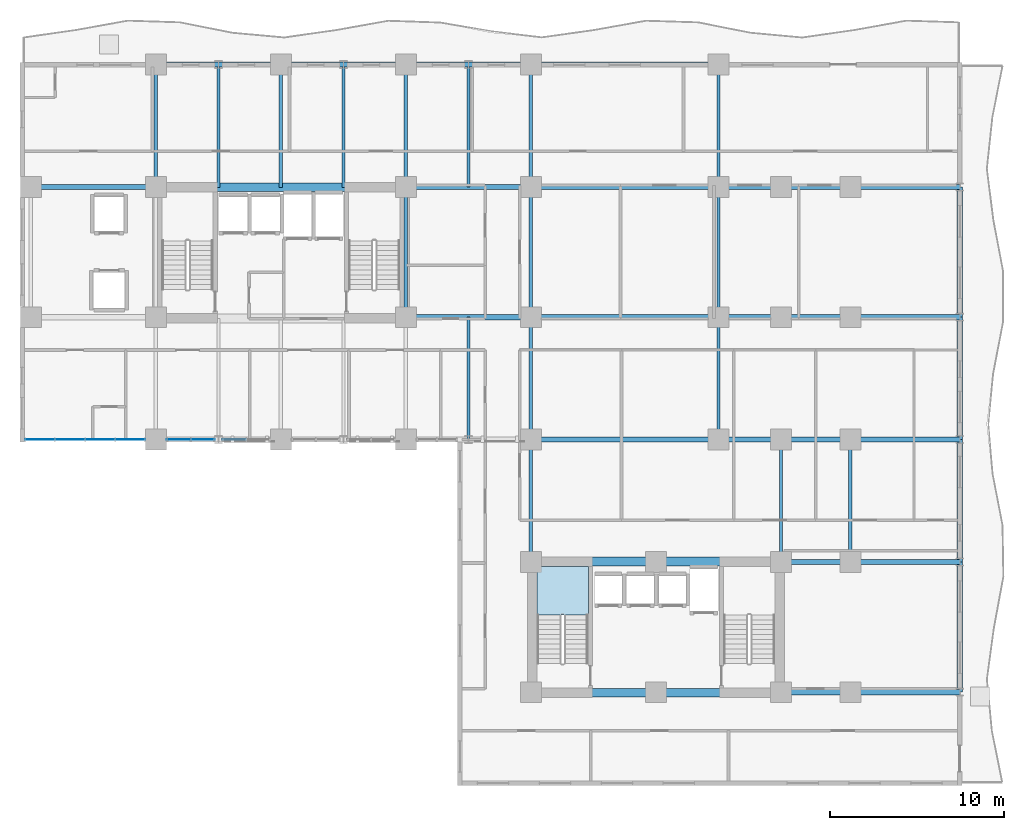
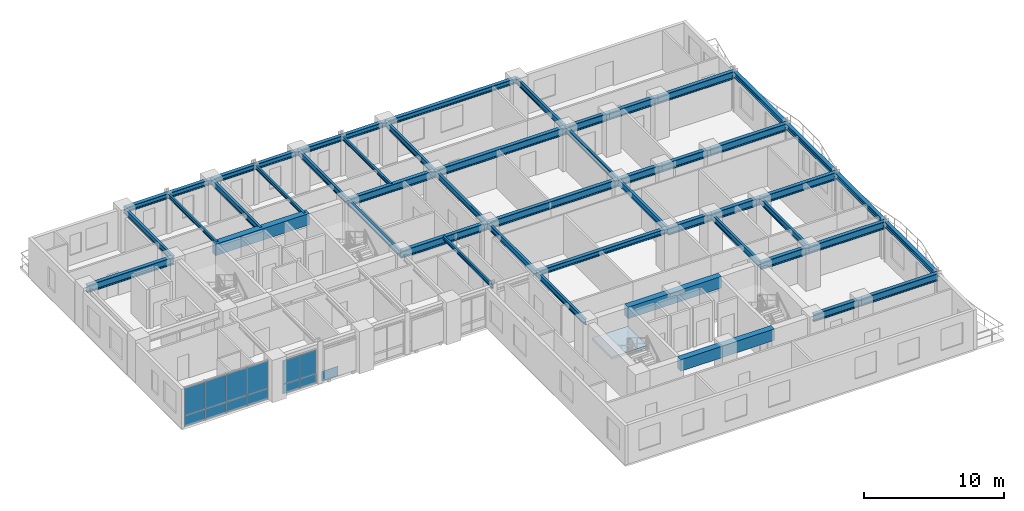
# One storey, part 6 of 16: 50 beams, 13 plates, 1 slab, 4 elements without a shape of their own.
"""IFC4 building model written with IfcOpenShell, lengths in metres."""

from ifc_helpers import new_model, si_unit, direction, frame, origin, origin_2d, place, context, subcontext, project, spatial, polyline, rectangle, i_section, outline, extrude, source, transform, mapped, material, layer, layer_set, material_profile, profile_set, type_object, element, aggregate, save


model = new_model("IFC4")

# Units and contexts
model_context = context("Model", 3, precision=1e-05, world=origin(), true_north=direction((0.0, 1.0)))
body_context = subcontext(model_context, "Body", "Model", "MODEL_VIEW")
ifc_project = project(units=[si_unit("LENGTHUNIT", "METRE"), si_unit("AREAUNIT", "SQUARE_METRE"), si_unit("VOLUMEUNIT", "CUBIC_METRE"), si_unit("PLANEANGLEUNIT", "RADIAN"), si_unit("MASSUNIT", "GRAM", prefix="KILO")], contexts=[model_context])

# Site, building, storey
site_placement = place(None, origin())
site = spatial("IfcSite", under=ifc_project, at=site_placement, CompositionType="ELEMENT")
building_placement = place(site_placement, origin())
building = spatial("IfcBuilding", under=site, at=building_placement, Name="Kaliganga Portal Commons", CompositionType="ELEMENT")
storey_placement = place(building_placement, frame((0.0, 0.0, 97.10009765625)))
storey = spatial("IfcBuildingStorey", under=building, at=storey_placement, Name="L24", CompositionType="ELEMENT", Elevation=97.10009765625)

# Beams
ifc_material_1 = material(Name="Concrete C50/60", Category="concrete")
ifc_material_profile_1 = material_profile(ifc_material_1, rectangle(XDim=0.5, YDim=1.0, at=origin_2d()), Name="RC 500x1000")
ifc_profile_set_1 = profile_set([ifc_material_profile_1], Name="Concrete C50/60")
beam_type_1 = type_object("IfcBeamType", Name="BM-CPL-1000", PredefinedType="LINTEL", material=ifc_profile_set_1)
shared_shape_1 = source(origin(), body_context, "Body", "SweptSolid", [
    extrude(rectangle(XDim=0.5, YDim=1.0, at=origin_2d()), origin(), (0.0, 0.0, 1.0), 7.739990234375),
])
for number, where, z_axis, x_axis, name in (
    (1, (17.72998046875, 36.125, 2.949951171875), (1.0, 0.0, 0.0), (0.0, 1.0, 0.0), "BM CPL COREA L24 N"),
    (2, (39.330078125, 7.02490234375, 2.949951171875), (1.0, 0.0, 0.0), (0.0, 1.0, 0.0), "BM CPL COREB L24 S"),
    (3, (39.330078125, 14.574951171875, 2.949951171875), (1.0, 0.0, 0.0), (0.0, 1.0, 0.0), "BM CPL COREB L24 N"),
):
    element("IfcBeam", number, at=place(storey_placement, frame(where, z_axis=z_axis, x_axis=x_axis)), inside=storey, type_object=beam_type_1, Name=name, PredefinedType="LINTEL", context=body_context, shape_type="MappedRepresentation", body=[
        mapped(shared_shape_1, transform((0.0, 0.0, 0.0), x_axis=(1.0, 0.0, 0.0), y_axis=(0.0, 1.0, 0.0), z_axis=(0.0, 0.0, 1.0), scale=1.0)),
    ])
ifc_material_2 = material(Name="Structural steel S355J2", Category="steel")
ifc_material_profile_2 = material_profile(ifc_material_2, i_section(OverallWidth=0.300048828125, OverallDepth=0.64990234375, WebThickness=0.01611328125, FlangeThickness=0.031005859375, FilletRadius=0.027099609375, at=origin_2d()), Name="HE 650 B")
ifc_profile_set_2 = profile_set([ifc_material_profile_2], Name="Structural steel S355J2 wide-flange")
beam_type_2 = type_object("IfcBeamType", Name="BM-GIRD-650", PredefinedType="USERDEFINED", material=ifc_profile_set_2)
shared_shape_2 = source(origin(), body_context, "Body", "SweptSolid", [
    extrude(i_section(OverallWidth=0.300048828125, OverallDepth=0.64990234375, WebThickness=0.01611328125, FlangeThickness=0.031005859375, FilletRadius=0.027099609375, at=origin_2d()), origin(), (0.0, 0.0, 1.0), 3.599853515625),
])
for number, where, z_axis, x_axis, name in (
    (4, (46.800048828125, 21.60009765625, 3.125), (1.0, 0.0, 0.0), (0.0, 1.0, 0.0), "BM G L24 BKE216 1"),
    (5, (46.800048828125, 28.64990234375, 3.125), (1.0, 0.0, 0.0), (0.0, 1.0, 0.0), "BM G L24 BKE286 1"),
    (6, (46.800048828125, 36.14990234375, 3.125), (1.0, 0.0, 0.0), (0.0, 1.0, 0.0), "BM G L24 BKE362 1"),
):
    element("IfcBeam", number, at=place(storey_placement, frame(where, z_axis=z_axis, x_axis=x_axis)), inside=storey, type_object=beam_type_2, Name=name, ObjectType="GIRDER", PredefinedType="USERDEFINED", context=body_context, shape_type="MappedRepresentation", body=[
        mapped(shared_shape_2, transform((0.0, 0.0, 0.0), x_axis=(1.0, 0.0, 0.0), y_axis=(0.0, 1.0, 0.0), z_axis=(0.0, 0.0, 1.0), scale=1.0)),
    ])
shared_shape_3 = source(origin(), body_context, "Body", "SweptSolid", [
    extrude(i_section(OverallWidth=0.300048828125, OverallDepth=0.64990234375, WebThickness=0.01611328125, FlangeThickness=0.031005859375, FilletRadius=0.027099609375, at=origin_2d()), origin(), (0.0, 0.0, 1.0), 7.199951171875),
])
for number, where, z_axis, x_axis, name in (
    (7, (7.199951171875, 36.14990234375, 3.125), (1.0, 0.0, 0.0), (0.0, 1.0, 0.0), "BM G L24 WAH_N 1"),
    (8, (28.800048828125, 28.64990234375, 3.125), (1.0, 0.0, 0.0), (0.0, 1.0, 0.0), "BM G L24 WAE_S 1"),
    (9, (28.800048828125, 36.14990234375, 3.125), (1.0, 0.0, 0.0), (0.0, 1.0, 0.0), "BM G L24 WAE_N 1"),
):
    element("IfcBeam", number, at=place(storey_placement, frame(where, z_axis=z_axis, x_axis=x_axis)), inside=storey, type_object=beam_type_2, Name=name, ObjectType="GIRDER", PredefinedType="USERDEFINED", context=body_context, shape_type="MappedRepresentation", body=[
        mapped(shared_shape_3, transform((0.0, 0.0, 0.0), x_axis=(1.0, 0.0, 0.0), y_axis=(0.0, 1.0, 0.0), z_axis=(0.0, 0.0, 1.0), scale=1.0)),
    ])
shared_shape_4 = source(origin(), body_context, "Body", "SweptSolid", [
    extrude(i_section(OverallWidth=0.300048828125, OverallDepth=0.64990234375, WebThickness=0.01611328125, FlangeThickness=0.031005859375, FilletRadius=0.027099609375, at=origin_2d()), origin(), (0.0, 0.0, 1.0), 10.800048828125),
])
for number, where, z_axis, x_axis, name in (
    (10, (36.0, 28.64990234375, 3.125), (1.0, 0.0, 0.0), (0.0, 1.0, 0.0), "BM G L24 WAE_S 2"),
    (11, (36.0, 36.14990234375, 3.125), (1.0, 0.0, 0.0), (0.0, 1.0, 0.0), "BM G L24 WAE_N 2"),
):
    element("IfcBeam", number, at=place(storey_placement, frame(where, z_axis=z_axis, x_axis=x_axis)), inside=storey, type_object=beam_type_2, Name=name, ObjectType="GIRDER", PredefinedType="USERDEFINED", context=body_context, shape_type="MappedRepresentation", body=[
        mapped(shared_shape_4, transform((0.0, 0.0, 0.0), x_axis=(1.0, 0.0, 0.0), y_axis=(0.0, 1.0, 0.0), z_axis=(0.0, 0.0, 1.0), scale=1.0)),
    ])
shared_shape_5 = source(origin(), body_context, "Body", "SweptSolid", [
    extrude(i_section(OverallWidth=0.300048828125, OverallDepth=0.64990234375, WebThickness=0.01611328125, FlangeThickness=0.031005859375, FilletRadius=0.027099609375, at=origin_2d()), origin(), (0.0, 0.0, 1.0), 4.0),
])
for number, where, z_axis, x_axis, name in (
    (12, (50.39990234375, 7.050048828125, 3.125), (1.0, 0.0, 0.0), (0.0, 1.0, 0.0), "BM G L24 BKE70 1"),
    (13, (50.39990234375, 14.550048828125, 3.125), (1.0, 0.0, 0.0), (0.0, 1.0, 0.0), "BM G L24 BKE146 1"),
    (14, (50.39990234375, 21.60009765625, 3.125), (1.0, 0.0, 0.0), (0.0, 1.0, 0.0), "BM G L24 BKE216 2"),
    (15, (50.39990234375, 28.64990234375, 3.125), (1.0, 0.0, 0.0), (0.0, 1.0, 0.0), "BM G L24 BKE286 2"),
    (16, (50.39990234375, 36.14990234375, 3.125), (1.0, 0.0, 0.0), (0.0, 1.0, 0.0), "BM G L24 BKE362 2"),
):
    element("IfcBeam", number, at=place(storey_placement, frame(where, z_axis=z_axis, x_axis=x_axis)), inside=storey, type_object=beam_type_2, Name=name, ObjectType="GIRDER", PredefinedType="USERDEFINED", context=body_context, shape_type="MappedRepresentation", body=[
        mapped(shared_shape_5, transform((0.0, 0.0, 0.0), x_axis=(1.0, 0.0, 0.0), y_axis=(0.0, 1.0, 0.0), z_axis=(0.0, 0.0, 1.0), scale=1.0)),
    ])
ifc_material_profile_3 = material_profile(ifc_material_2, i_section(OverallWidth=0.199951171875, OverallDepth=0.5, WebThickness=0.01025390625, FlangeThickness=0.01611328125, FilletRadius=0.02099609375, at=origin_2d()), Name="IPE 500")
ifc_profile_set_3 = profile_set([ifc_material_profile_3], Name="Structural steel S355J2 wide-flange")
beam_type_3 = type_object("IfcBeamType", Name="BM-FLR-500", PredefinedType="BEAM", material=ifc_profile_set_3)
shared_shape_6 = source(origin(), body_context, "Body", "SweptSolid", [
    extrude(i_section(OverallWidth=0.199951171875, OverallDepth=0.5, WebThickness=0.01025390625, FlangeThickness=0.01611328125, FilletRadius=0.02099609375, at=origin_2d()), origin(), (0.0, 0.0, 1.0), 7.5),
])
for number, where, z_axis, x_axis, name in (
    (17, (28.800048828125, 28.64990234375, 3.199951171875), (0.0, 1.0, 0.0), (-1.0, 0.0, 0.0), "BM G L24 AM288"),
    (18, (36.0, 28.64990234375, 3.199951171875), (0.0, 1.0, 0.0), (-1.0, 0.0, 0.0), "BM G L24 AM360"),
    (19, (46.800048828125, 28.64990234375, 3.199951171875), (0.0, 1.0, 0.0), (-1.0, 0.0, 0.0), "BM G L24 AM468"),
):
    element("IfcBeam", number, at=place(storey_placement, frame(where, z_axis=z_axis, x_axis=x_axis)), inside=storey, type_object=beam_type_3, Name=name, PredefinedType="BEAM", context=body_context, shape_type="MappedRepresentation", body=[
        mapped(shared_shape_6, transform((0.0, 0.0, 0.0), x_axis=(1.0, 0.0, 0.0), y_axis=(0.0, 1.0, 0.0), z_axis=(0.0, 0.0, 1.0), scale=1.0)),
    ])
shared_shape_7 = source(origin(), body_context, "Body", "SweptSolid", [
    extrude(i_section(OverallWidth=0.199951171875, OverallDepth=0.5, WebThickness=0.01025390625, FlangeThickness=0.01611328125, FilletRadius=0.02099609375, at=origin_2d()), origin(), (0.0, 0.0, 1.0), 7.050048828125),
])
for number, where, z_axis, x_axis, name in (
    (20, (14.39990234375, 36.14990234375, 3.199951171875), (0.0, 1.0, 0.0), (-1.0, 0.0, 0.0), "BM G L24 AN144"),
    (21, (28.800048828125, 36.14990234375, 3.199951171875), (0.0, 1.0, 0.0), (-1.0, 0.0, 0.0), "BM G L24 AN288"),
    (22, (36.0, 36.14990234375, 3.199951171875), (0.0, 1.0, 0.0), (-1.0, 0.0, 0.0), "BM G L24 AN360"),
    (23, (46.800048828125, 36.14990234375, 3.199951171875), (0.0, 1.0, 0.0), (-1.0, 0.0, 0.0), "BM G L24 AN468"),
    (24, (36.0, 14.550048828125, 3.199951171875), (0.0, 1.0, 0.0), (-1.0, 0.0, 0.0), "BM G L24 BNK360"),
    (25, (50.39990234375, 14.550048828125, 3.199951171875), (0.0, 1.0, 0.0), (-1.0, 0.0, 0.0), "BM G L24 BNK504"),
    (26, (54.39990234375, 14.550048828125, 3.199951171875), (0.0, 1.0, 0.0), (-1.0, 0.0, 0.0), "BM G L24 BNK544"),
):
    element("IfcBeam", number, at=place(storey_placement, frame(where, z_axis=z_axis, x_axis=x_axis)), inside=storey, type_object=beam_type_3, Name=name, PredefinedType="BEAM", context=body_context, shape_type="MappedRepresentation", body=[
        mapped(shared_shape_7, transform((0.0, 0.0, 0.0), x_axis=(1.0, 0.0, 0.0), y_axis=(0.0, 1.0, 0.0), z_axis=(0.0, 0.0, 1.0), scale=1.0)),
    ])
shared_shape_8 = source(origin(), body_context, "Body", "SweptSolid", [
    extrude(i_section(OverallWidth=0.199951171875, OverallDepth=0.5, WebThickness=0.01025390625, FlangeThickness=0.01611328125, FilletRadius=0.02099609375, at=origin_2d()), origin(), (0.0, 0.0, 1.0), 7.0498046875),
])
for number, where, z_axis, x_axis, name in (
    (27, (36.0, 21.60009765625, 3.199951171875), (0.0, 1.0, 0.0), (-1.0, 0.0, 0.0), "BM G L24 AS360"),
    (28, (46.800048828125, 21.60009765625, 3.199951171875), (0.0, 1.0, 0.0), (-1.0, 0.0, 0.0), "BM G L24 AS468"),
):
    element("IfcBeam", number, at=place(storey_placement, frame(where, z_axis=z_axis, x_axis=x_axis)), inside=storey, type_object=beam_type_3, Name=name, PredefinedType="BEAM", context=body_context, shape_type="MappedRepresentation", body=[
        mapped(shared_shape_8, transform((0.0, 0.0, 0.0), x_axis=(1.0, 0.0, 0.0), y_axis=(0.0, 1.0, 0.0), z_axis=(0.0, 0.0, 1.0), scale=1.0)),
    ])
shared_shape_9 = source(origin(), body_context, "Body", "SweptSolid", [
    extrude(i_section(OverallWidth=0.199951171875, OverallDepth=0.5, WebThickness=0.01025390625, FlangeThickness=0.01611328125, FilletRadius=0.02099609375, at=origin_2d()), origin(), (0.0, 0.0, 1.0), 7.074951171875),
])
beam_1_placement = place(storey_placement, frame((21.60009765625, 36.125, 3.199951171875), z_axis=(0.0, 1.0, 0.0), x_axis=(-1.0, 0.0, 0.0)))
element("IfcBeam", 29, at=beam_1_placement, inside=storey, type_object=beam_type_3, Name="BM G L24 AN216", PredefinedType="BEAM", context=body_context, shape_type="MappedRepresentation", body=[
    mapped(shared_shape_9, transform((0.0, 0.0, 0.0), x_axis=(1.0, 0.0, 0.0), y_axis=(0.0, 1.0, 0.0), z_axis=(0.0, 0.0, 1.0), scale=1.0)),
])
shared_shape_10 = source(origin(), body_context, "Body", "SweptSolid", [
    extrude(i_section(OverallWidth=0.300048828125, OverallDepth=0.64990234375, WebThickness=0.01611328125, FlangeThickness=0.031005859375, FilletRadius=0.027099609375, at=origin_2d()), origin(), (0.0, 0.0, 1.0), 6.300048828125),
])
for number, where, z_axis, x_axis, name in (
    (30, (54.39990234375, 7.050048828125, 3.125), (1.0, 0.0, 0.0), (0.0, 1.0, 0.0), "BM G L24 BKE70 2"),
    (31, (54.39990234375, 14.550048828125, 3.125), (1.0, 0.0, 0.0), (0.0, 1.0, 0.0), "BM G L24 BKE146 2"),
    (32, (54.39990234375, 21.60009765625, 3.125), (1.0, 0.0, 0.0), (0.0, 1.0, 0.0), "BM G L24 BKE216 3"),
    (33, (54.39990234375, 28.64990234375, 3.125), (1.0, 0.0, 0.0), (0.0, 1.0, 0.0), "BM G L24 BKE286 3"),
    (34, (54.39990234375, 36.14990234375, 3.125), (1.0, 0.0, 0.0), (0.0, 1.0, 0.0), "BM G L24 BKE362 3"),
):
    element("IfcBeam", number, at=place(storey_placement, frame(where, z_axis=z_axis, x_axis=x_axis)), inside=storey, type_object=beam_type_2, Name=name, ObjectType="GIRDER", PredefinedType="USERDEFINED", context=body_context, shape_type="MappedRepresentation", body=[
        mapped(shared_shape_10, transform((0.0, 0.0, 0.0), x_axis=(1.0, 0.0, 0.0), y_axis=(0.0, 1.0, 0.0), z_axis=(0.0, 0.0, 1.0), scale=1.0)),
    ])
ifc_material_profile_4 = material_profile(ifc_material_2, i_section(OverallWidth=0.300048828125, OverallDepth=0.449951171875, WebThickness=0.013916015625, FlangeThickness=0.02587890625, FilletRadius=0.027099609375, at=origin_2d()), Name="HE 450 B")
ifc_profile_set_4 = profile_set([ifc_material_profile_4], Name="Structural steel S355J2 wide-flange")
beam_type_4 = type_object("IfcBeamType", Name="BM-SPAND-450", PredefinedType="SPANDREL", material=ifc_profile_set_4)
shared_shape_11 = source(origin(), body_context, "Body", "SweptSolid", [
    extrude(i_section(OverallWidth=0.300048828125, OverallDepth=0.449951171875, WebThickness=0.013916015625, FlangeThickness=0.02587890625, FilletRadius=0.027099609375, at=origin_2d()), origin(), (0.0, 0.0, 1.0), 3.60009765625),
])
for number, where, z_axis, x_axis, name in (
    (35, (14.39990234375, 43.199951171875, 3.224853515625), (1.0, 0.0, 0.0), (0.0, 1.0, 0.0), "BM SP L24 AN 1"),
    (36, (18.0, 43.199951171875, 3.224853515625), (1.0, 0.0, 0.0), (0.0, 1.0, 0.0), "BM SP L24 AN 2"),
    (37, (25.199951171875, 43.199951171875, 3.224853515625), (1.0, 0.0, 0.0), (0.0, 1.0, 0.0), "BM SP L24 AN 4"),
    (38, (32.39990234375, 43.199951171875, 3.224853515625), (1.0, 0.0, 0.0), (0.0, 1.0, 0.0), "BM SP L24 AN 6"),
):
    element("IfcBeam", number, at=place(storey_placement, frame(where, z_axis=z_axis, x_axis=x_axis)), inside=storey, type_object=beam_type_4, Name=name, PredefinedType="SPANDREL", context=body_context, shape_type="MappedRepresentation", body=[
        mapped(shared_shape_11, transform((0.0, 0.0, 0.0), x_axis=(1.0, 0.0, 0.0), y_axis=(0.0, 1.0, 0.0), z_axis=(0.0, 0.0, 1.0), scale=1.0)),
    ])
shared_shape_12 = source(origin(), body_context, "Body", "SweptSolid", [
    extrude(i_section(OverallWidth=0.300048828125, OverallDepth=0.449951171875, WebThickness=0.013916015625, FlangeThickness=0.02587890625, FilletRadius=0.027099609375, at=origin_2d()), origin(), (0.0, 0.0, 1.0), 3.599853515625),
])
for number, where, z_axis, x_axis, name in (
    (39, (21.60009765625, 43.199951171875, 3.224853515625), (1.0, 0.0, 0.0), (0.0, 1.0, 0.0), "BM SP L24 AN 3"),
    (40, (28.800048828125, 43.199951171875, 3.224853515625), (1.0, 0.0, 0.0), (0.0, 1.0, 0.0), "BM SP L24 AN 5"),
):
    element("IfcBeam", number, at=place(storey_placement, frame(where, z_axis=z_axis, x_axis=x_axis)), inside=storey, type_object=beam_type_4, Name=name, PredefinedType="SPANDREL", context=body_context, shape_type="MappedRepresentation", body=[
        mapped(shared_shape_12, transform((0.0, 0.0, 0.0), x_axis=(1.0, 0.0, 0.0), y_axis=(0.0, 1.0, 0.0), z_axis=(0.0, 0.0, 1.0), scale=1.0)),
    ])
shared_shape_13 = source(origin(), body_context, "Body", "SweptSolid", [
    extrude(i_section(OverallWidth=0.300048828125, OverallDepth=0.449951171875, WebThickness=0.013916015625, FlangeThickness=0.02587890625, FilletRadius=0.027099609375, at=origin_2d()), origin(), (0.0, 0.0, 1.0), 10.800048828125),
])
for number, where, z_axis, x_axis, name in (
    (41, (36.0, 43.199951171875, 3.224853515625), (1.0, 0.0, 0.0), (0.0, 1.0, 0.0), "BM SP L24 AN 7"),
    (42, (36.0, 21.60009765625, 3.224853515625), (1.0, 0.0, 0.0), (0.0, 1.0, 0.0), "BM SP L24 AS 7"),
):
    element("IfcBeam", number, at=place(storey_placement, frame(where, z_axis=z_axis, x_axis=x_axis)), inside=storey, type_object=beam_type_4, Name=name, PredefinedType="SPANDREL", context=body_context, shape_type="MappedRepresentation", body=[
        mapped(shared_shape_13, transform((0.0, 0.0, 0.0), x_axis=(1.0, 0.0, 0.0), y_axis=(0.0, 1.0, 0.0), z_axis=(0.0, 0.0, 1.0), scale=1.0)),
    ])
ifc_material_profile_5 = material_profile(ifc_material_2, i_section(OverallWidth=0.159912109375, OverallDepth=0.330078125, WebThickness=0.007568359375, FlangeThickness=0.011474609375, FilletRadius=0.01806640625, at=origin_2d()), Name="IPE 330")
ifc_profile_set_5 = profile_set([ifc_material_profile_5], Name="Structural steel S355J2 wide-flange")
beam_type_5 = type_object("IfcBeamType", Name="BM-JST-330", PredefinedType="JOIST", material=ifc_profile_set_5)
shared_shape_14 = source(origin(), body_context, "Body", "SweptSolid", [
    extrude(i_section(OverallWidth=0.159912109375, OverallDepth=0.330078125, WebThickness=0.007568359375, FlangeThickness=0.011474609375, FilletRadius=0.01806640625, at=origin_2d()), origin(), (0.0, 0.0, 1.0), 7.074951171875),
])
for number, where, z_axis, x_axis, name in (
    (43, (18.0, 36.125, 3.284912109375), (0.0, 1.0, 0.0), (-1.0, 0.0, 0.0), "BM G L24 AN180"),
    (44, (25.199951171875, 36.125, 3.284912109375), (0.0, 1.0, 0.0), (-1.0, 0.0, 0.0), "BM G L24 AN252"),
):
    element("IfcBeam", number, at=place(storey_placement, frame(where, z_axis=z_axis, x_axis=x_axis)), inside=storey, type_object=beam_type_5, Name=name, PredefinedType="JOIST", context=body_context, shape_type="MappedRepresentation", body=[
        mapped(shared_shape_14, transform((0.0, 0.0, 0.0), x_axis=(1.0, 0.0, 0.0), y_axis=(0.0, 1.0, 0.0), z_axis=(0.0, 0.0, 1.0), scale=1.0)),
    ])
shared_shape_15 = source(origin(), body_context, "Body", "SweptSolid", [
    extrude(i_section(OverallWidth=0.159912109375, OverallDepth=0.330078125, WebThickness=0.007568359375, FlangeThickness=0.011474609375, FilletRadius=0.01806640625, at=origin_2d()), origin(), (0.0, 0.0, 1.0), 7.050048828125),
])
beam_2_placement = place(storey_placement, frame((32.39990234375, 36.14990234375, 3.284912109375), z_axis=(0.0, 1.0, 0.0), x_axis=(-1.0, 0.0, 0.0)))
element("IfcBeam", 45, at=beam_2_placement, inside=storey, type_object=beam_type_5, Name="BM G L24 AN324", PredefinedType="JOIST", context=body_context, shape_type="MappedRepresentation", body=[
    mapped(shared_shape_15, transform((0.0, 0.0, 0.0), x_axis=(1.0, 0.0, 0.0), y_axis=(0.0, 1.0, 0.0), z_axis=(0.0, 0.0, 1.0), scale=1.0)),
])
shared_shape_16 = source(origin(), body_context, "Body", "SweptSolid", [
    extrude(i_section(OverallWidth=0.159912109375, OverallDepth=0.330078125, WebThickness=0.007568359375, FlangeThickness=0.011474609375, FilletRadius=0.01806640625, at=origin_2d()), origin(), (0.0, 0.0, 1.0), 7.0498046875),
])
beam_3_placement = place(storey_placement, frame((32.39990234375, 21.60009765625, 3.284912109375), z_axis=(0.0, 1.0, 0.0), x_axis=(-1.0, 0.0, 0.0)))
element("IfcBeam", 46, at=beam_3_placement, inside=storey, type_object=beam_type_5, Name="BM G L24 AS324", PredefinedType="JOIST", context=body_context, shape_type="MappedRepresentation", body=[
    mapped(shared_shape_16, transform((0.0, 0.0, 0.0), x_axis=(1.0, 0.0, 0.0), y_axis=(0.0, 1.0, 0.0), z_axis=(0.0, 0.0, 1.0), scale=1.0)),
])
shared_shape_17 = source(origin(), body_context, "Body", "SweptSolid", [
    extrude(i_section(OverallWidth=0.300048828125, OverallDepth=0.449951171875, WebThickness=0.013916015625, FlangeThickness=0.02587890625, FilletRadius=0.027099609375, at=origin_2d()), origin(), (0.0, 0.0, 1.0), 7.5),
])
for number, where, z_axis, x_axis, name in (
    (47, (60.699951171875, 7.050048828125, 3.224853515625), (0.0, 1.0, 0.0), (-1.0, 0.0, 0.0), "BM SP L24 BE 1"),
    (48, (60.699951171875, 28.64990234375, 3.224853515625), (0.0, 1.0, 0.0), (-1.0, 0.0, 0.0), "BM SP L24 BE 4"),
):
    element("IfcBeam", number, at=place(storey_placement, frame(where, z_axis=z_axis, x_axis=x_axis)), inside=storey, type_object=beam_type_4, Name=name, PredefinedType="SPANDREL", context=body_context, shape_type="MappedRepresentation", body=[
        mapped(shared_shape_17, transform((0.0, 0.0, 0.0), x_axis=(1.0, 0.0, 0.0), y_axis=(0.0, 1.0, 0.0), z_axis=(0.0, 0.0, 1.0), scale=1.0)),
    ])
shared_shape_18 = source(origin(), body_context, "Body", "SweptSolid", [
    extrude(i_section(OverallWidth=0.300048828125, OverallDepth=0.449951171875, WebThickness=0.013916015625, FlangeThickness=0.02587890625, FilletRadius=0.027099609375, at=origin_2d()), origin(), (0.0, 0.0, 1.0), 7.050048828125),
])
beam_4_placement = place(storey_placement, frame((60.699951171875, 14.550048828125, 3.224853515625), z_axis=(0.0, 1.0, 0.0), x_axis=(-1.0, 0.0, 0.0)))
element("IfcBeam", 49, at=beam_4_placement, inside=storey, type_object=beam_type_4, Name="BM SP L24 BE 2", PredefinedType="SPANDREL", context=body_context, shape_type="MappedRepresentation", body=[
    mapped(shared_shape_18, transform((0.0, 0.0, 0.0), x_axis=(1.0, 0.0, 0.0), y_axis=(0.0, 1.0, 0.0), z_axis=(0.0, 0.0, 1.0), scale=1.0)),
])
shared_shape_19 = source(origin(), body_context, "Body", "SweptSolid", [
    extrude(i_section(OverallWidth=0.300048828125, OverallDepth=0.449951171875, WebThickness=0.013916015625, FlangeThickness=0.02587890625, FilletRadius=0.027099609375, at=origin_2d()), origin(), (0.0, 0.0, 1.0), 7.0498046875),
])
beam_5_placement = place(storey_placement, frame((60.699951171875, 21.60009765625, 3.224853515625), z_axis=(0.0, 1.0, 0.0), x_axis=(-1.0, 0.0, 0.0)))
element("IfcBeam", 50, at=beam_5_placement, inside=storey, type_object=beam_type_4, Name="BM SP L24 BE 3", PredefinedType="SPANDREL", context=body_context, shape_type="MappedRepresentation", body=[
    mapped(shared_shape_19, transform((0.0, 0.0, 0.0), x_axis=(1.0, 0.0, 0.0), y_axis=(0.0, 1.0, 0.0), z_axis=(0.0, 0.0, 1.0), scale=1.0)),
])

# Stair, slab
ifc_material_3 = material(Name="Concrete C40/50", Category="concrete")
stair_type = type_object("IfcStairType", Name="ST-CORE-DOGLEG", PredefinedType="HALF_TURN_STAIR", material=ifc_material_3)
stair_placement = place(storey_placement, origin())
stair = element("IfcStair", 51, at=stair_placement, inside=storey, type_object=stair_type, Name="L24 Protected Exit Stair ST-B1", PredefinedType="HALF_TURN_STAIR")
ifc_layer_1 = layer(ifc_material_3, 0.199951171875)
ifc_layer_set_1 = layer_set([ifc_layer_1], Name="Concrete C40/50")
slab_type = type_object("IfcSlabType", Name="SLB-STAIR-LND", PredefinedType="LANDING", material=ifc_layer_set_1)
slab_placement = place(storey_placement, frame((0.0, 0.0, 1.64990234375)))
slab = element("IfcSlab", 52, at=slab_placement, type_object=slab_type, Name="ST-B1 landing 1", PredefinedType="LANDING", context=body_context, shape_type="SweptSolid", body=[
    extrude(outline(polyline([(39.300048828125, 11.5), (39.300048828125, 14.300048828125), (36.35009765625, 14.300048828125), (36.35009765625, 11.5), (39.300048828125, 11.5)])), origin(), (0.0, 0.0, 1.0), 0.199951171875),
])
aggregate(stair, [slab])

# Curtain wall, plates
ifc_material_4 = material(Name="Anodized Aluminium and Laminated Low-E Glass", Category="aluminium")
ifc_layer_2 = layer(ifc_material_4, 0.2099609375)
ifc_layer_set_2 = layer_set([ifc_layer_2], Name="Anodized Aluminium and Laminated Low-E Glass")
curtain_wall_type = type_object("IfcCurtainWallType", Name="CW-SYS-03", PredefinedType="NOTDEFINED", material=ifc_layer_set_2)
curtain_wall_1_placement = place(storey_placement, origin())
curtain_wall_1 = element("IfcCurtainWall", 53, at=curtain_wall_1_placement, inside=storey, type_object=curtain_wall_type, Name="CW 03 L24 P1E04S1", PredefinedType="NOTDEFINED")
ifc_material_5 = material(Name="Insulated Dark Spandrel Panel", Category="metal")
ifc_layer_3 = layer(ifc_material_5, 0.044921875)
ifc_layer_set_3 = layer_set([ifc_layer_3], Name="Insulated Dark Spandrel Panel")
plate_type_1 = type_object("IfcPlateType", Name="PLT-SPN-45", PredefinedType="SHEET", material=ifc_layer_set_3)
shared_shape_20 = source(origin(), body_context, "Body", "SweptSolid", [
    extrude(rectangle(XDim=1.69970703125, YDim=0.044921875, at=origin_2d()), origin(), (0.0, 0.0, 1.0), 0.929931640625),
])
plate_1_placement = place(storey_placement, frame((7.7099609375, 21.60009765625, 0.009765625), z_axis=(0.0, 0.0, 1.0), x_axis=(1.0, 0.0, 0.0)))
plate_1 = element("IfcPlate", 54, at=plate_1_placement, type_object=plate_type_1, Name="CW:03:L24:P1E04S1 Spandrel 00", PredefinedType="SHEET", context=body_context, shape_type="MappedRepresentation", body=[
    mapped(shared_shape_20, transform((0.0, 0.0, 0.0), x_axis=(1.0, 0.0, 0.0), y_axis=(0.0, 1.0, 0.0), z_axis=(0.0, 0.0, 1.0), scale=1.0)),
])
plate_2_placement = place(storey_placement, frame((9.44970703125, 21.60009765625, 0.009765625), z_axis=(0.0, 0.0, 1.0), x_axis=(1.0, 0.0, 0.0)))
plate_2 = element("IfcPlate", 55, at=plate_2_placement, type_object=plate_type_1, Name="CW:03:L24:P1E04S1 Spandrel 01", PredefinedType="SHEET", context=body_context, shape_type="MappedRepresentation", body=[
    mapped(shared_shape_20, transform((0.0, 0.0, 0.0), x_axis=(1.0, 0.0, 0.0), y_axis=(0.0, 1.0, 0.0), z_axis=(0.0, 0.0, 1.0), scale=1.0)),
])
plate_3_placement = place(storey_placement, frame((11.189453125, 21.60009765625, 0.009765625), z_axis=(0.0, 0.0, 1.0), x_axis=(1.0, 0.0, 0.0)))
plate_3 = element("IfcPlate", 56, at=plate_3_placement, type_object=plate_type_1, Name="CW:03:L24:P1E04S1 Spandrel 02", PredefinedType="SHEET", context=body_context, shape_type="MappedRepresentation", body=[
    mapped(shared_shape_20, transform((0.0, 0.0, 0.0), x_axis=(1.0, 0.0, 0.0), y_axis=(0.0, 1.0, 0.0), z_axis=(0.0, 0.0, 1.0), scale=1.0)),
])
plate_4_placement = place(storey_placement, frame((12.92919921875, 21.60009765625, 0.009765625), z_axis=(0.0, 0.0, 1.0), x_axis=(1.0, 0.0, 0.0)))
plate_4 = element("IfcPlate", 57, at=plate_4_placement, type_object=plate_type_1, Name="CW:03:L24:P1E04S1 Spandrel 03", PredefinedType="SHEET", context=body_context, shape_type="MappedRepresentation", body=[
    mapped(shared_shape_20, transform((0.0, 0.0, 0.0), x_axis=(1.0, 0.0, 0.0), y_axis=(0.0, 1.0, 0.0), z_axis=(0.0, 0.0, 1.0), scale=1.0)),
])
ifc_material_6 = material(Name="Dark Solar-Control Laminated Low-E IGU", Category="glass")
ifc_layer_4 = layer(ifc_material_6, 0.028076171875)
ifc_layer_set_4 = layer_set([ifc_layer_4], Name="Dark Solar-Control Laminated Low-E IGU")
plate_type_2 = type_object("IfcPlateType", Name="PLT-GLZ-28", PredefinedType="CURTAIN_PANEL", material=ifc_layer_set_4)
shared_shape_21 = source(origin(), body_context, "Body", "SweptSolid", [
    extrude(rectangle(XDim=1.69970703125, YDim=0.028076171875, at=origin_2d()), origin(), (0.0, 0.0, 1.0), 2.39990234375),
])
plate_5_placement = place(storey_placement, frame((7.7099609375, 21.60009765625, 0.9599609375), z_axis=(0.0, 0.0, 1.0), x_axis=(1.0, 0.0, 0.0)))
plate_5 = element("IfcPlate", 58, at=plate_5_placement, type_object=plate_type_2, Name="CW:03:L24:P1E04S1 Vision IGU 00", PredefinedType="CURTAIN_PANEL", context=body_context, shape_type="MappedRepresentation", body=[
    mapped(shared_shape_21, transform((0.0, 0.0, 0.0), x_axis=(1.0, 0.0, 0.0), y_axis=(0.0, 1.0, 0.0), z_axis=(0.0, 0.0, 1.0), scale=1.0)),
])
plate_6_placement = place(storey_placement, frame((9.44970703125, 21.60009765625, 0.9599609375), z_axis=(0.0, 0.0, 1.0), x_axis=(1.0, 0.0, 0.0)))
plate_6 = element("IfcPlate", 59, at=plate_6_placement, type_object=plate_type_2, Name="CW:03:L24:P1E04S1 Vision IGU 01", PredefinedType="CURTAIN_PANEL", context=body_context, shape_type="MappedRepresentation", body=[
    mapped(shared_shape_21, transform((0.0, 0.0, 0.0), x_axis=(1.0, 0.0, 0.0), y_axis=(0.0, 1.0, 0.0), z_axis=(0.0, 0.0, 1.0), scale=1.0)),
])
plate_7_placement = place(storey_placement, frame((11.189453125, 21.60009765625, 0.9599609375), z_axis=(0.0, 0.0, 1.0), x_axis=(1.0, 0.0, 0.0)))
plate_7 = element("IfcPlate", 60, at=plate_7_placement, type_object=plate_type_2, Name="CW:03:L24:P1E04S1 Vision IGU 02", PredefinedType="CURTAIN_PANEL", context=body_context, shape_type="MappedRepresentation", body=[
    mapped(shared_shape_21, transform((0.0, 0.0, 0.0), x_axis=(1.0, 0.0, 0.0), y_axis=(0.0, 1.0, 0.0), z_axis=(0.0, 0.0, 1.0), scale=1.0)),
])
plate_8_placement = place(storey_placement, frame((12.92919921875, 21.60009765625, 0.9599609375), z_axis=(0.0, 0.0, 1.0), x_axis=(1.0, 0.0, 0.0)))
plate_8 = element("IfcPlate", 61, at=plate_8_placement, type_object=plate_type_2, Name="CW:03:L24:P1E04S1 Vision IGU 03", PredefinedType="CURTAIN_PANEL", context=body_context, shape_type="MappedRepresentation", body=[
    mapped(shared_shape_21, transform((0.0, 0.0, 0.0), x_axis=(1.0, 0.0, 0.0), y_axis=(0.0, 1.0, 0.0), z_axis=(0.0, 0.0, 1.0), scale=1.0)),
])
aggregate(curtain_wall_1, [plate_1, plate_5, plate_2, plate_6, plate_3, plate_7, plate_4, plate_8])

curtain_wall_2_placement = place(storey_placement, origin())
curtain_wall_2 = element("IfcCurtainWall", 62, at=curtain_wall_2_placement, inside=storey, type_object=curtain_wall_type, Name="CW 03 L24 P1E04S2", PredefinedType="NOTDEFINED")
shared_shape_22 = source(origin(), body_context, "Body", "SweptSolid", [
    extrude(rectangle(XDim=1.356689453125, YDim=0.044921875, at=origin_2d()), origin(), (0.0, 0.0, 1.0), 0.820068359375),
])
plate_9_placement = place(storey_placement, frame((15.699462890625, 21.60009765625, 0.009765625), z_axis=(0.0, 0.0, 1.0), x_axis=(1.0, 0.0, 0.0)))
plate_9 = element("IfcPlate", 63, at=plate_9_placement, type_object=plate_type_1, Name="CW:03:L24:P1E04S2 Spandrel 00", PredefinedType="SHEET", context=body_context, shape_type="MappedRepresentation", body=[
    mapped(shared_shape_22, transform((0.0, 0.0, 0.0), x_axis=(1.0, 0.0, 0.0), y_axis=(0.0, 1.0, 0.0), z_axis=(0.0, 0.0, 1.0), scale=1.0)),
])
plate_10_placement = place(storey_placement, frame((17.09619140625, 21.60009765625, 0.009765625), z_axis=(0.0, 0.0, 1.0), x_axis=(1.0, 0.0, 0.0)))
plate_10 = element("IfcPlate", 64, at=plate_10_placement, type_object=plate_type_1, Name="CW:03:L24:P1E04S2 Spandrel 01", PredefinedType="SHEET", context=body_context, shape_type="MappedRepresentation", body=[
    mapped(shared_shape_22, transform((0.0, 0.0, 0.0), x_axis=(1.0, 0.0, 0.0), y_axis=(0.0, 1.0, 0.0), z_axis=(0.0, 0.0, 1.0), scale=1.0)),
])

# Curtain wall, plate
curtain_wall_3_placement = place(storey_placement, origin())
curtain_wall_3 = element("IfcCurtainWall", 65, at=curtain_wall_3_placement, inside=storey, type_object=curtain_wall_type, Name="CW 03 L24 P1E04S3", PredefinedType="NOTDEFINED")
plate_11_placement = place(storey_placement, frame((18.90380859375, 21.60009765625, 0.009765625), z_axis=(0.0, 0.0, 1.0), x_axis=(1.0, 0.0, 0.0)))
plate_11 = element("IfcPlate", 66, at=plate_11_placement, type_object=plate_type_1, Name="CW:03:L24:P1E04S3 Spandrel 00", PredefinedType="SHEET", context=body_context, shape_type="MappedRepresentation", body=[
    mapped(shared_shape_22, transform((0.0, 0.0, 0.0), x_axis=(1.0, 0.0, 0.0), y_axis=(0.0, 1.0, 0.0), z_axis=(0.0, 0.0, 1.0), scale=1.0)),
])
aggregate(curtain_wall_3, [plate_11])

# Plate
shared_shape_23 = source(origin(), body_context, "Body", "SweptSolid", [
    extrude(rectangle(XDim=1.356689453125, YDim=0.028076171875, at=origin_2d()), origin(), (0.0, 0.0, 1.0), 2.06005859375),
])
plate_12_placement = place(storey_placement, frame((15.699462890625, 21.60009765625, 0.849853515625), z_axis=(0.0, 0.0, 1.0), x_axis=(1.0, 0.0, 0.0)))
plate_12 = element("IfcPlate", 67, at=plate_12_placement, type_object=plate_type_2, Name="CW:03:L24:P1E04S2 Vision IGU 00", PredefinedType="CURTAIN_PANEL", context=body_context, shape_type="MappedRepresentation", body=[
    mapped(shared_shape_23, transform((0.0, 0.0, 0.0), x_axis=(1.0, 0.0, 0.0), y_axis=(0.0, 1.0, 0.0), z_axis=(0.0, 0.0, 1.0), scale=1.0)),
])

plate_13_placement = place(storey_placement, frame((17.09619140625, 21.60009765625, 0.849853515625), z_axis=(0.0, 0.0, 1.0), x_axis=(1.0, 0.0, 0.0)))
plate_13 = element("IfcPlate", 68, at=plate_13_placement, type_object=plate_type_2, Name="CW:03:L24:P1E04S2 Vision IGU 01", PredefinedType="CURTAIN_PANEL", context=body_context, shape_type="MappedRepresentation", body=[
    mapped(shared_shape_23, transform((0.0, 0.0, 0.0), x_axis=(1.0, 0.0, 0.0), y_axis=(0.0, 1.0, 0.0), z_axis=(0.0, 0.0, 1.0), scale=1.0)),
])

aggregate(curtain_wall_2, [plate_9, plate_12, plate_10, plate_13])

save(model, "model.ifc")
